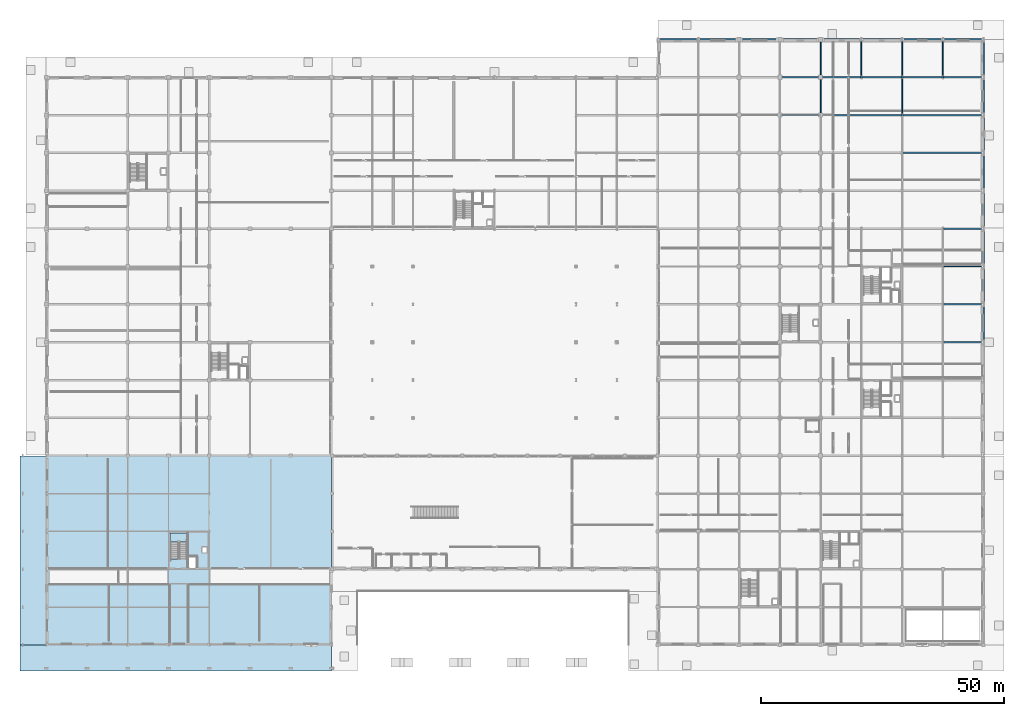
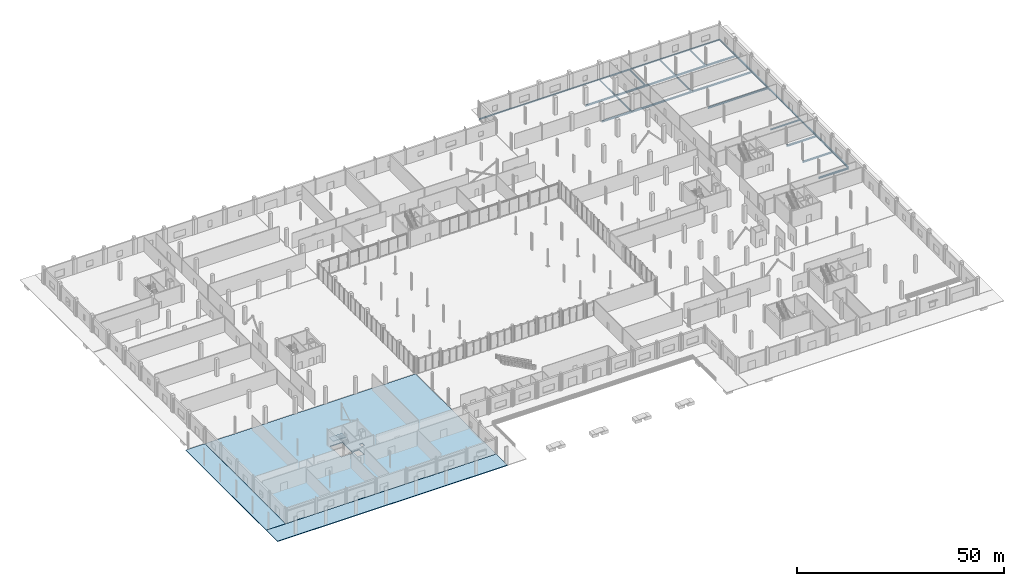
# One storey, part 40 of 80: 35 beams, 4 slabs, 1 element without a shape of its own.
"""IFC4 building model written with IfcOpenShell, lengths in metres."""

from ifc_helpers import new_model, si_unit, direction, frame, origin, origin_2d, place, context, subcontext, project, spatial, polyline, i_section, outline, extrude, material, layer, layer_set, material_profile, profile_set, type_object, element, aggregate, save


model = new_model("IFC4")

# Units and contexts
model_context = context("Model", 3, precision=1e-05, world=origin(), true_north=direction((0.0, 1.0)))
body_context = subcontext(model_context, "Body", "Model", "MODEL_VIEW")
ifc_project = project(units=[si_unit("LENGTHUNIT", "METRE"), si_unit("AREAUNIT", "SQUARE_METRE"), si_unit("VOLUMEUNIT", "CUBIC_METRE"), si_unit("PLANEANGLEUNIT", "RADIAN"), si_unit("MASSUNIT", "GRAM", prefix="KILO")], contexts=[model_context])

# Site, building, storey
site_placement = place(None, origin())
site = spatial("IfcSite", under=ifc_project, at=site_placement, CompositionType="ELEMENT")
building_placement = place(site_placement, origin())
building = spatial("IfcBuilding", under=site, at=building_placement, Name="Nabrawat Pavilion Hospital", CompositionType="ELEMENT")
storey_placement = place(building_placement, origin())
storey = spatial("IfcBuildingStorey", under=building, at=storey_placement, Name="L00", CompositionType="ELEMENT", Elevation=0.0)

# Beams
ifc_material_1 = material(Name="Steel S355", Category="steel")
ifc_material_profile_1 = material_profile(ifc_material_1, i_section(OverallWidth=0.300048828125, OverallDepth=0.389892578125, WebThickness=0.010986328125, FlangeThickness=0.01904296875, FilletRadius=0.027099609375, at=origin_2d()), Name="HEA 400")
ifc_profile_set_1 = profile_set([ifc_material_profile_1], Name="Steel S355")
beam_type_1 = type_object("IfcBeamType", Name="Perimeter Moment Spandrel Beam HEA 400", PredefinedType="SPANDREL", material=ifc_profile_set_1)
for number, where, z_axis, x_axis, name in (
    (1, (193.199951171875, 62.419921875, -0.445068359375), (0.0, 1.0, 0.0), (-1.0, 0.0, 0.0), "L00 Primary Y Beam 441"),
    (2, (193.199951171875, 70.219970703125, -0.445068359375), (0.0, 1.0, 0.0), (-1.0, 0.0, 0.0), "L00 Primary Y Beam 442"),
    (3, (193.199951171875, 78.02001953125, -0.445068359375), (0.0, 1.0, 0.0), (-1.0, 0.0, 0.0), "L00 Primary Y Beam 443"),
    (4, (193.199951171875, 85.820068359375, -0.445068359375), (0.0, 1.0, 0.0), (-1.0, 0.0, 0.0), "L00 Primary Y Beam 444"),
):
    element("IfcBeam", number, at=place(storey_placement, frame(where, z_axis=z_axis, x_axis=x_axis)), inside=storey, type_object=beam_type_1, Name=name, PredefinedType="SPANDREL", context=body_context, shape_type="SweptSolid", body=[
        extrude(i_section(OverallWidth=0.300048828125, OverallDepth=0.389892578125, WebThickness=0.010986328125, FlangeThickness=0.01904296875, FilletRadius=0.027099609375, at=origin_2d()), origin(), (0.0, 0.0, 1.0), 7.760009765625),
    ])
beam_1_placement = place(storey_placement, frame((193.199951171875, 93.6201171875, -0.445068359375), z_axis=(0.0, 1.0, 0.0), x_axis=(-1.0, 0.0, 0.0)))
element("IfcBeam", 5, at=beam_1_placement, inside=storey, type_object=beam_type_1, Name="L00 Primary Y Beam 445", PredefinedType="SPANDREL", context=body_context, shape_type="SweptSolid", body=[
    extrude(i_section(OverallWidth=0.300048828125, OverallDepth=0.389892578125, WebThickness=0.010986328125, FlangeThickness=0.01904296875, FilletRadius=0.027099609375, at=origin_2d()), origin(), (0.0, 0.0, 1.0), 7.759765625),
])
for number, where, z_axis, x_axis, name in (
    (6, (193.199951171875, 101.419921875, -0.445068359375), (0.0, 1.0, 0.0), (-1.0, 0.0, 0.0), "L00 Primary Y Beam 446"),
    (7, (193.199951171875, 109.219970703125, -0.445068359375), (0.0, 1.0, 0.0), (-1.0, 0.0, 0.0), "L00 Primary Y Beam 447"),
    (8, (193.199951171875, 117.02001953125, -0.445068359375), (0.0, 1.0, 0.0), (-1.0, 0.0, 0.0), "L00 Primary Y Beam 448"),
):
    element("IfcBeam", number, at=place(storey_placement, frame(where, z_axis=z_axis, x_axis=x_axis)), inside=storey, type_object=beam_type_1, Name=name, PredefinedType="SPANDREL", context=body_context, shape_type="SweptSolid", body=[
        extrude(i_section(OverallWidth=0.300048828125, OverallDepth=0.389892578125, WebThickness=0.010986328125, FlangeThickness=0.01904296875, FilletRadius=0.027099609375, at=origin_2d()), origin(), (0.0, 0.0, 1.0), 7.760009765625),
    ])
ifc_material_profile_2 = material_profile(ifc_material_1, i_section(OverallWidth=0.300048828125, OverallDepth=0.5, WebThickness=0.014404296875, FlangeThickness=0.028076171875, FilletRadius=0.027099609375, at=origin_2d()), Name="HEB 500")
ifc_profile_set_2 = profile_set([ifc_material_profile_2], Name="Steel S355")
beam_type_2 = type_object("IfcBeamType", Name="Primary Floor Girder HEB 500", PredefinedType="USERDEFINED", material=ifc_profile_set_2)
for number, where, z_axis, x_axis, name in (
    (9, (184.820068359375, 62.39990234375, -0.5), (1.0, 0.0, 0.0), (0.0, 1.0, 0.0), "L00 Primary X Girder 120"),
    (10, (184.820068359375, 70.199951171875, -0.5), (1.0, 0.0, 0.0), (0.0, 1.0, 0.0), "L00 Primary X Girder 130"),
    (11, (184.820068359375, 78.0, -0.5), (1.0, 0.0, 0.0), (0.0, 1.0, 0.0), "L00 Primary X Girder 140"),
):
    element("IfcBeam", number, at=place(storey_placement, frame(where, z_axis=z_axis, x_axis=x_axis)), inside=storey, type_object=beam_type_2, Name=name, ObjectType="GIRDER", PredefinedType="USERDEFINED", context=body_context, shape_type="SweptSolid", body=[
        extrude(i_section(OverallWidth=0.300048828125, OverallDepth=0.5, WebThickness=0.014404296875, FlangeThickness=0.028076171875, FilletRadius=0.027099609375, at=origin_2d()), origin(), (0.0, 0.0, 1.0), 8.35986328125),
    ])
beam_2_placement = place(storey_placement, frame((176.419921875, 101.39990234375, -0.5), z_axis=(1.0, 0.0, 0.0), x_axis=(0.0, 1.0, 0.0)))
element("IfcBeam", 12, at=beam_2_placement, inside=storey, type_object=beam_type_2, Name="L00 Primary X Girder 192", ObjectType="GIRDER", PredefinedType="USERDEFINED", context=body_context, shape_type="SweptSolid", body=[
    extrude(i_section(OverallWidth=0.300048828125, OverallDepth=0.5, WebThickness=0.014404296875, FlangeThickness=0.028076171875, FilletRadius=0.027099609375, at=origin_2d()), origin(), (0.0, 0.0, 1.0), 16.760009765625),
])
beam_3_placement = place(storey_placement, frame((151.219970703125, 109.199951171875, -0.5), z_axis=(1.0, 0.0, 0.0), x_axis=(0.0, 1.0, 0.0)))
element("IfcBeam", 13, at=beam_3_placement, inside=storey, type_object=beam_type_2, Name="L00 Primary X Girder 202", ObjectType="GIRDER", PredefinedType="USERDEFINED", context=body_context, shape_type="SweptSolid", body=[
    extrude(i_section(OverallWidth=0.300048828125, OverallDepth=0.5, WebThickness=0.014404296875, FlangeThickness=0.028076171875, FilletRadius=0.027099609375, at=origin_2d()), origin(), (0.0, 0.0, 1.0), 8.360107421875),
])
beam_4_placement = place(storey_placement, frame((159.6201171875, 109.199951171875, -0.5), z_axis=(1.0, 0.0, 0.0), x_axis=(0.0, 1.0, 0.0)))
element("IfcBeam", 14, at=beam_4_placement, inside=storey, type_object=beam_type_2, Name="L00 Primary X Girder 203", ObjectType="GIRDER", PredefinedType="USERDEFINED", context=body_context, shape_type="SweptSolid", body=[
    extrude(i_section(OverallWidth=0.300048828125, OverallDepth=0.5, WebThickness=0.014404296875, FlangeThickness=0.028076171875, FilletRadius=0.027099609375, at=origin_2d()), origin(), (0.0, 0.0, 1.0), 16.759765625),
])
beam_5_placement = place(storey_placement, frame((176.419921875, 109.199951171875, -0.5), z_axis=(1.0, 0.0, 0.0), x_axis=(0.0, 1.0, 0.0)))
element("IfcBeam", 15, at=beam_5_placement, inside=storey, type_object=beam_type_2, Name="L00 Primary X Girder 204", ObjectType="GIRDER", PredefinedType="USERDEFINED", context=body_context, shape_type="SweptSolid", body=[
    extrude(i_section(OverallWidth=0.300048828125, OverallDepth=0.5, WebThickness=0.014404296875, FlangeThickness=0.028076171875, FilletRadius=0.027099609375, at=origin_2d()), origin(), (0.0, 0.0, 1.0), 16.760009765625),
])
beam_6_placement = place(storey_placement, frame((151.219970703125, 117.0, -0.5), z_axis=(1.0, 0.0, 0.0), x_axis=(0.0, 1.0, 0.0)))
element("IfcBeam", 16, at=beam_6_placement, inside=storey, type_object=beam_type_2, Name="L00 Primary X Girder 223", ObjectType="GIRDER", PredefinedType="USERDEFINED", context=body_context, shape_type="SweptSolid", body=[
    extrude(i_section(OverallWidth=0.300048828125, OverallDepth=0.5, WebThickness=0.014404296875, FlangeThickness=0.028076171875, FilletRadius=0.027099609375, at=origin_2d()), origin(), (0.0, 0.0, 1.0), 8.360107421875),
])
for number, where, z_axis, x_axis, name in (
    (17, (159.6201171875, 117.0, -0.5), (1.0, 0.0, 0.0), (0.0, 1.0, 0.0), "L00 Primary X Girder 224"),
    (18, (168.02001953125, 117.0, -0.5), (1.0, 0.0, 0.0), (0.0, 1.0, 0.0), "L00 Primary X Girder 225"),
):
    element("IfcBeam", number, at=place(storey_placement, frame(where, z_axis=z_axis, x_axis=x_axis)), inside=storey, type_object=beam_type_2, Name=name, ObjectType="GIRDER", PredefinedType="USERDEFINED", context=body_context, shape_type="SweptSolid", body=[
        extrude(i_section(OverallWidth=0.300048828125, OverallDepth=0.5, WebThickness=0.014404296875, FlangeThickness=0.028076171875, FilletRadius=0.027099609375, at=origin_2d()), origin(), (0.0, 0.0, 1.0), 8.35986328125),
    ])
beam_7_placement = place(storey_placement, frame((176.419921875, 117.0, -0.5), z_axis=(1.0, 0.0, 0.0), x_axis=(0.0, 1.0, 0.0)))
element("IfcBeam", 19, at=beam_7_placement, inside=storey, type_object=beam_type_2, Name="L00 Primary X Girder 226", ObjectType="GIRDER", PredefinedType="USERDEFINED", context=body_context, shape_type="SweptSolid", body=[
    extrude(i_section(OverallWidth=0.300048828125, OverallDepth=0.5, WebThickness=0.014404296875, FlangeThickness=0.028076171875, FilletRadius=0.027099609375, at=origin_2d()), origin(), (0.0, 0.0, 1.0), 8.360107421875),
])
beam_8_placement = place(storey_placement, frame((184.820068359375, 117.0, -0.5), z_axis=(1.0, 0.0, 0.0), x_axis=(0.0, 1.0, 0.0)))
element("IfcBeam", 20, at=beam_8_placement, inside=storey, type_object=beam_type_2, Name="L00 Primary X Girder 227", ObjectType="GIRDER", PredefinedType="USERDEFINED", context=body_context, shape_type="SweptSolid", body=[
    extrude(i_section(OverallWidth=0.300048828125, OverallDepth=0.5, WebThickness=0.014404296875, FlangeThickness=0.028076171875, FilletRadius=0.027099609375, at=origin_2d()), origin(), (0.0, 0.0, 1.0), 8.35986328125),
])
ifc_material_profile_3 = material_profile(ifc_material_1, i_section(OverallWidth=0.18994140625, OverallDepth=0.449951171875, WebThickness=0.009521484375, FlangeThickness=0.0146484375, FilletRadius=0.02099609375, at=origin_2d()), Name="IPE 450")
ifc_profile_set_3 = profile_set([ifc_material_profile_3], Name="Steel S355")
beam_type_3 = type_object("IfcBeamType", Name="Primary Y Floor Beam IPE 450", PredefinedType="BEAM", material=ifc_profile_set_3)
for number, where, z_axis, x_axis, name in (
    (21, (159.60009765625, 109.219970703125, -0.47509765625), (0.0, 1.0, 0.0), (-1.0, 0.0, 0.0), "L00 Primary Y Beam 398"),
    (22, (159.60009765625, 117.02001953125, -0.47509765625), (0.0, 1.0, 0.0), (-1.0, 0.0, 0.0), "L00 Primary Y Beam 399"),
    (23, (168.0, 117.02001953125, -0.47509765625), (0.0, 1.0, 0.0), (-1.0, 0.0, 0.0), "L00 Primary Y Beam 408"),
    (24, (176.39990234375, 109.219970703125, -0.47509765625), (0.0, 1.0, 0.0), (-1.0, 0.0, 0.0), "L00 Primary Y Beam 423"),
    (25, (176.39990234375, 117.02001953125, -0.47509765625), (0.0, 1.0, 0.0), (-1.0, 0.0, 0.0), "L00 Primary Y Beam 424"),
    (26, (184.800048828125, 117.02001953125, -0.47509765625), (0.0, 1.0, 0.0), (-1.0, 0.0, 0.0), "L00 Primary Y Beam 432"),
):
    element("IfcBeam", number, at=place(storey_placement, frame(where, z_axis=z_axis, x_axis=x_axis)), inside=storey, type_object=beam_type_3, Name=name, PredefinedType="BEAM", context=body_context, shape_type="SweptSolid", body=[
        extrude(i_section(OverallWidth=0.18994140625, OverallDepth=0.449951171875, WebThickness=0.009521484375, FlangeThickness=0.0146484375, FilletRadius=0.02099609375, at=origin_2d()), origin(), (0.0, 0.0, 1.0), 7.760009765625),
    ])
ifc_material_profile_4 = material_profile(ifc_material_1, i_section(OverallWidth=0.300048828125, OverallDepth=0.340087890625, WebThickness=0.011962890625, FlangeThickness=0.021484375, FilletRadius=0.027099609375, at=origin_2d()), Name="HEB 340")
ifc_profile_set_4 = profile_set([ifc_material_profile_4], Name="Steel S355")
beam_type_4 = type_object("IfcBeamType", Name="Ward Perimeter Spandrel Beam HEB 340", PredefinedType="SPANDREL", material=ifc_profile_set_4)
for number, where, z_axis, x_axis, name in (
    (27, (184.820068359375, 85.800048828125, -0.419921875), (1.0, 0.0, 0.0), (0.0, 1.0, 0.0), "L00 Primary X Girder 163"),
    (28, (126.02001953125, 124.800048828125, -0.419921875), (1.0, 0.0, 0.0), (0.0, 1.0, 0.0), "L00 Primary X Girder 228"),
):
    element("IfcBeam", number, at=place(storey_placement, frame(where, z_axis=z_axis, x_axis=x_axis)), inside=storey, type_object=beam_type_4, Name=name, PredefinedType="SPANDREL", context=body_context, shape_type="SweptSolid", body=[
        extrude(i_section(OverallWidth=0.300048828125, OverallDepth=0.340087890625, WebThickness=0.011962890625, FlangeThickness=0.021484375, FilletRadius=0.027099609375, at=origin_2d()), origin(), (0.0, 0.0, 1.0), 8.35986328125),
    ])
beam_9_placement = place(storey_placement, frame((134.419921875, 124.800048828125, -0.419921875), z_axis=(1.0, 0.0, 0.0), x_axis=(0.0, 1.0, 0.0)))
element("IfcBeam", 29, at=beam_9_placement, inside=storey, type_object=beam_type_4, Name="L00 Primary X Girder 229", PredefinedType="SPANDREL", context=body_context, shape_type="SweptSolid", body=[
    extrude(i_section(OverallWidth=0.300048828125, OverallDepth=0.340087890625, WebThickness=0.011962890625, FlangeThickness=0.021484375, FilletRadius=0.027099609375, at=origin_2d()), origin(), (0.0, 0.0, 1.0), 8.360107421875),
])
beam_10_placement = place(storey_placement, frame((142.820068359375, 124.800048828125, -0.419921875), z_axis=(1.0, 0.0, 0.0), x_axis=(0.0, 1.0, 0.0)))
element("IfcBeam", 30, at=beam_10_placement, inside=storey, type_object=beam_type_4, Name="L00 Primary X Girder 230", PredefinedType="SPANDREL", context=body_context, shape_type="SweptSolid", body=[
    extrude(i_section(OverallWidth=0.300048828125, OverallDepth=0.340087890625, WebThickness=0.011962890625, FlangeThickness=0.021484375, FilletRadius=0.027099609375, at=origin_2d()), origin(), (0.0, 0.0, 1.0), 8.35986328125),
])
beam_11_placement = place(storey_placement, frame((151.219970703125, 124.800048828125, -0.419921875), z_axis=(1.0, 0.0, 0.0), x_axis=(0.0, 1.0, 0.0)))
element("IfcBeam", 31, at=beam_11_placement, inside=storey, type_object=beam_type_4, Name="L00 Primary X Girder 231", PredefinedType="SPANDREL", context=body_context, shape_type="SweptSolid", body=[
    extrude(i_section(OverallWidth=0.300048828125, OverallDepth=0.340087890625, WebThickness=0.011962890625, FlangeThickness=0.021484375, FilletRadius=0.027099609375, at=origin_2d()), origin(), (0.0, 0.0, 1.0), 8.360107421875),
])
for number, where, z_axis, x_axis, name in (
    (32, (159.6201171875, 124.800048828125, -0.419921875), (1.0, 0.0, 0.0), (0.0, 1.0, 0.0), "L00 Primary X Girder 232"),
    (33, (168.02001953125, 124.800048828125, -0.419921875), (1.0, 0.0, 0.0), (0.0, 1.0, 0.0), "L00 Primary X Girder 233"),
):
    element("IfcBeam", number, at=place(storey_placement, frame(where, z_axis=z_axis, x_axis=x_axis)), inside=storey, type_object=beam_type_4, Name=name, PredefinedType="SPANDREL", context=body_context, shape_type="SweptSolid", body=[
        extrude(i_section(OverallWidth=0.300048828125, OverallDepth=0.340087890625, WebThickness=0.011962890625, FlangeThickness=0.021484375, FilletRadius=0.027099609375, at=origin_2d()), origin(), (0.0, 0.0, 1.0), 8.35986328125),
    ])
beam_12_placement = place(storey_placement, frame((176.419921875, 124.800048828125, -0.419921875), z_axis=(1.0, 0.0, 0.0), x_axis=(0.0, 1.0, 0.0)))
element("IfcBeam", 34, at=beam_12_placement, inside=storey, type_object=beam_type_4, Name="L00 Primary X Girder 234", PredefinedType="SPANDREL", context=body_context, shape_type="SweptSolid", body=[
    extrude(i_section(OverallWidth=0.300048828125, OverallDepth=0.340087890625, WebThickness=0.011962890625, FlangeThickness=0.021484375, FilletRadius=0.027099609375, at=origin_2d()), origin(), (0.0, 0.0, 1.0), 8.360107421875),
])
beam_13_placement = place(storey_placement, frame((184.820068359375, 124.800048828125, -0.419921875), z_axis=(1.0, 0.0, 0.0), x_axis=(0.0, 1.0, 0.0)))
element("IfcBeam", 35, at=beam_13_placement, inside=storey, type_object=beam_type_4, Name="L00 Primary X Girder 235", PredefinedType="SPANDREL", context=body_context, shape_type="SweptSolid", body=[
    extrude(i_section(OverallWidth=0.300048828125, OverallDepth=0.340087890625, WebThickness=0.011962890625, FlangeThickness=0.021484375, FilletRadius=0.027099609375, at=origin_2d()), origin(), (0.0, 0.0, 1.0), 8.35986328125),
])

# Slabs
ifc_material_2 = material(Name="Concrete C35/45", Category="concrete")
ifc_layer_1 = layer(ifc_material_2, 0.25, Name="Concrete C35/45")
ifc_layer_set_1 = layer_set([ifc_layer_1], Name="Concrete C35/45")
slab_type_1 = type_object("IfcSlabType", Name="Composite Emergency Floor Slab 250", PredefinedType="FLOOR", material=ifc_layer_set_1)
slab_1_placement = place(storey_placement, frame((0.0, 0.0, -0.25)))
element("IfcSlab", 36, at=slab_1_placement, inside=storey, type_object=slab_type_1, Name="L00 Structural Floor Slab P_L00_V2", PredefinedType="FLOOR", context=body_context, shape_type="SweptSolid", body=[
    extrude(outline(polyline([(0.0, 0.0), (58.800048828125, 0.0), (58.800048828125, 39.0), (0.0, 39.0), (0.0, 0.0)]), holes=[polyline([(32.14990234375, 19.050048828125), (32.14990234375, 20.14990234375), (33.050048828125, 20.14990234375), (33.050048828125, 19.050048828125), (32.14990234375, 19.050048828125)]), polyline([(31.06005859375, 18.199951171875), (31.06005859375, 15.89990234375), (29.300048828125, 15.89990234375), (29.300048828125, 18.199951171875), (31.06005859375, 18.199951171875)]), polyline([(29.050048828125, 17.669921875), (25.64990234375, 17.669921875), (25.64990234375, 22.949951171875), (29.050048828125, 22.949951171875), (29.050048828125, 17.669921875)])]), origin(), (0.0, 0.0, 1.0), 0.25),
])
ifc_layer_2 = layer(ifc_material_2, 0.199951171875, Name="Concrete C35/45")
ifc_layer_set_2 = layer_set([ifc_layer_2], Name="Concrete C35/45")
slab_type_2 = type_object("IfcSlabType", Name="Exterior Grade Driveway and Entry Apron 200", PredefinedType="FLOOR", material=ifc_layer_set_2)
slab_2_placement = place(storey_placement, frame((0.0, 0.0, -0.199951171875)))
element("IfcSlab", 37, at=slab_2_placement, inside=storey, type_object=slab_type_2, Name="L00 South Colonnade Walkway Slab", PredefinedType="FLOOR", context=body_context, shape_type="SweptSolid", body=[
    extrude(outline(polyline([(58.780029296875, -5.39990234375), (58.780029296875, -0.02001953125), (-5.39990234375, -0.02001953125), (-5.39990234375, -5.39990234375), (58.780029296875, -5.39990234375)])), origin(), (0.0, 0.0, 1.0), 0.199951171875),
])
slab_3_placement = place(storey_placement, frame((0.0, 0.0, -0.199951171875)))
element("IfcSlab", 38, at=slab_3_placement, inside=storey, type_object=slab_type_2, Name="L00 West Ambulance Canopy Apron Slab", PredefinedType="FLOOR", context=body_context, shape_type="SweptSolid", body=[
    extrude(outline(polyline([(-0.02001953125, 0.0), (-0.02001953125, 38.97998046875), (-5.39990234375, 38.97998046875), (-5.39990234375, 0.0), (-0.02001953125, 0.0)])), origin(), (0.0, 0.0, 1.0), 0.199951171875),
])

# Stair, slab
stair_type = type_object("IfcStairType", Name="Core Dogleg Escape Stair Assembly", PredefinedType="HALF_TURN_STAIR", material=ifc_material_2)
stair_placement = place(storey_placement, origin())
stair = element("IfcStair", 39, at=stair_placement, inside=storey, type_object=stair_type, Name="L00 Emergency Stair and Lift Core 1", PredefinedType="HALF_TURN_STAIR")
ifc_layer_3 = layer(ifc_material_2, 0.199951171875, Name="Concrete C35/45")
ifc_layer_set_3 = layer_set([ifc_layer_3], Name="Concrete C35/45")
slab_type_3 = type_object("IfcSlabType", Name="Reinforced Concrete Stair Half-Landing 200", PredefinedType="LANDING", material=ifc_layer_set_3)
slab_4_placement = place(storey_placement, frame((0.0, 0.0, 2.35009765625)))
slab_4 = element("IfcSlab", 40, at=slab_4_placement, type_object=slab_type_3, Name="ST-01 landing 1", PredefinedType="LANDING", context=body_context, shape_type="SweptSolid", body=[
    extrude(outline(polyline([(29.070068359375, 21.2451171875), (29.070068359375, 23.1201171875), (25.47998046875, 23.1201171875), (25.47998046875, 21.2451171875), (29.070068359375, 21.2451171875)])), origin(), (0.0, 0.0, 1.0), 0.199951171875),
])
aggregate(stair, [slab_4])

save(model, "model.ifc")
